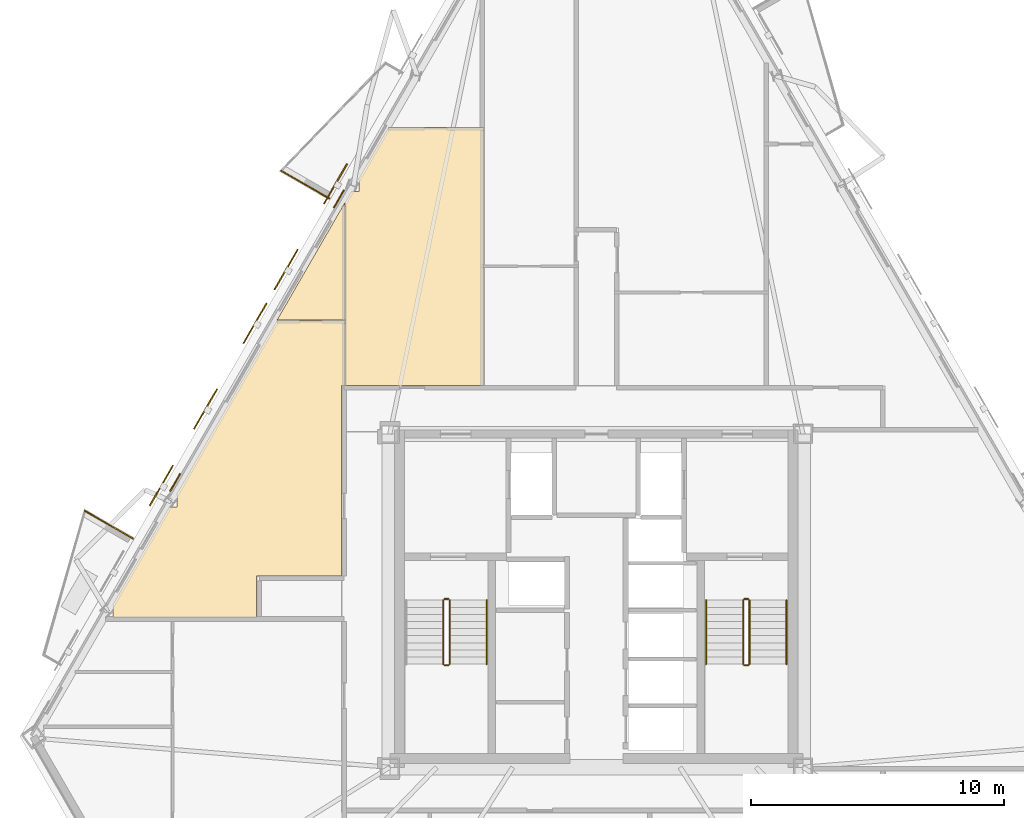
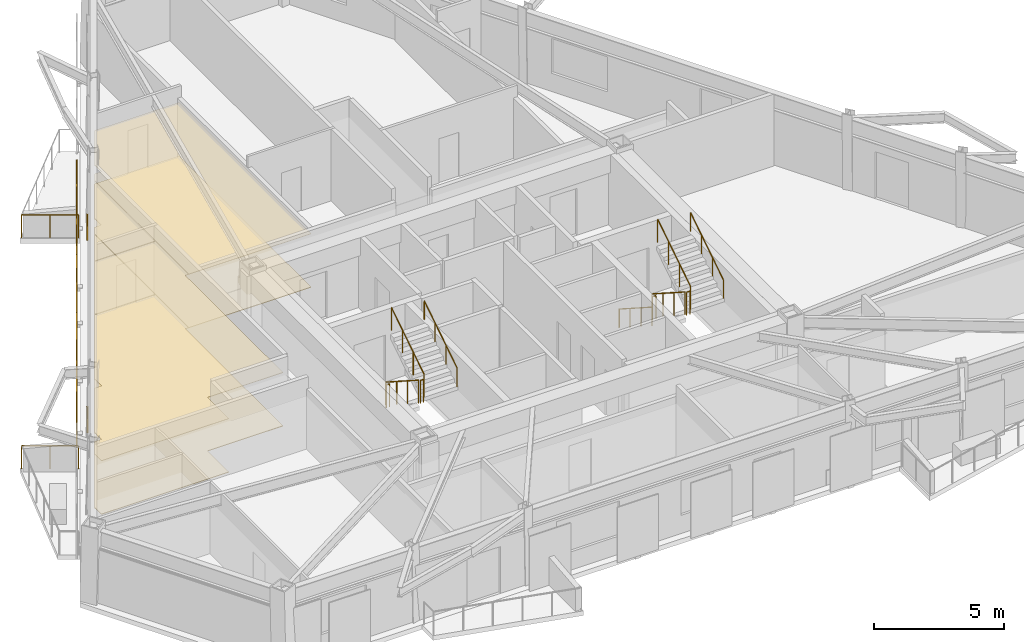
# One storey, part 7 of 8: 13 railings, 8 coverings, 5 shading devices.
"""IFC4 building model written with IfcOpenShell, lengths in metres."""

from ifc_helpers import new_model, si_unit, direction, frame, origin, origin_2d, place, context, subcontext, project, spatial, polyline, rectangle, circle, outline, extrude, material, layer, layer_set, type_object, element, save


model = new_model("IFC4")

# Units and contexts
model_context = context("Model", 3, precision=1e-05, world=origin(), true_north=direction((0.0, 1.0)))
body_context = subcontext(model_context, "Body", "Model", "MODEL_VIEW")
ifc_project = project(units=[si_unit("LENGTHUNIT", "METRE"), si_unit("AREAUNIT", "SQUARE_METRE"), si_unit("VOLUMEUNIT", "CUBIC_METRE"), si_unit("PLANEANGLEUNIT", "RADIAN"), si_unit("MASSUNIT", "GRAM", prefix="KILO")], contexts=[model_context])

# Site, building, storey
site_placement = place(None, origin())
site = spatial("IfcSite", under=ifc_project, at=site_placement, CompositionType="ELEMENT")
building_placement = place(site_placement, origin())
building = spatial("IfcBuilding", under=site, at=building_placement, Name="Oramaril Tower", CompositionType="ELEMENT")
storey_placement = place(building_placement, frame((0.0, 0.0, 171.0)))
storey = spatial("IfcBuildingStorey", under=building, at=storey_placement, Name="L45", CompositionType="ELEMENT", Elevation=171.0)

# Coverings
ifc_material_1 = material(Name="Mineral Fibre Acoustic Ceiling")
ifc_layer_1 = layer(ifc_material_1, 0.02001953125)
ifc_layer_set_1 = layer_set([ifc_layer_1], Name="CVT-CEIL")
covering_type_1 = type_object("IfcCoveringType", Name="CVT-CEIL", PredefinedType="CEILING", material=ifc_layer_set_1)
covering_1_placement = place(storey_placement, frame((0.0, 0.0, 2.511962890625)))
element("IfcCovering", 1, at=covering_1_placement, inside=storey, type_object=covering_type_1, Name="L45 Acoustic Suspended Ceiling 14", PredefinedType="CEILING", context=body_context, shape_type="SweptSolid", body=[
    extrude(outline(polyline([(18.43408203125, 17.4033203125), (18.4130859375, 17.4033203125), (20.642822265625, 21.265380859375), (20.94921875, 21.265380859375), (20.94921875, 21.751953125), (20.923828125, 21.751953125), (24.8916015625, 28.624267578125), (27.592041015625, 28.624267578125), (27.592041015625, 26.070068359375), (27.469970703125, 26.070068359375), (27.468017578125, 26.06982421875), (27.466064453125, 26.069580078125), (27.464111328125, 26.069091796875), (27.46240234375, 26.068603515625), (27.460693359375, 26.067626953125), (27.458984375, 26.066650390625), (27.457275390625, 26.0654296875), (27.455810546875, 26.064208984375), (27.45458984375, 26.062744140625), (27.453369140625, 26.06103515625), (27.452392578125, 26.059326171875), (27.451416015625, 26.0576171875), (27.450927734375, 26.055908203125), (27.450439453125, 26.053955078125), (27.4501953125, 26.052001953125), (27.449951171875, 26.050048828125), (27.449951171875, 24.239990234375), (27.4501953125, 24.238037109375), (27.450439453125, 24.236083984375), (27.450927734375, 24.234130859375), (27.451416015625, 24.232421875), (27.452392578125, 24.230712890625), (27.45263671875, 24.22998046875), (27.452392578125, 24.2294921875), (27.451416015625, 24.227783203125), (27.450927734375, 24.225830078125), (27.450439453125, 24.223876953125), (27.4501953125, 24.221923828125), (27.449951171875, 24.219970703125), (27.449951171875, 18.550048828125), (24.1201171875, 18.550048828125), (24.117919921875, 18.5498046875), (24.1162109375, 18.549560546875), (24.1142578125, 18.549072265625), (24.1123046875, 18.548583984375), (24.110595703125, 18.547607421875), (24.10888671875, 18.546630859375), (24.107421875, 18.54541015625), (24.10595703125, 18.544189453125), (24.1044921875, 18.542724609375), (24.103515625, 18.541015625), (24.102294921875, 18.539306640625), (24.1015625, 18.53759765625), (24.100830078125, 18.535888671875), (24.100341796875, 18.533935546875), (24.10009765625, 18.531982421875), (24.10009765625, 18.530029296875), (24.10009765625, 16.912109375), (20.74072265625, 16.912109375), (20.73876953125, 16.911865234375), (20.73681640625, 16.91162109375), (20.73486328125, 16.9111328125), (20.73291015625, 16.910400390625), (20.731201171875, 16.90966796875), (20.730712890625, 16.9091796875), (20.72998046875, 16.90966796875), (20.728515625, 16.910400390625), (20.7265625, 16.9111328125), (20.724609375, 16.91162109375), (20.72265625, 16.911865234375), (20.720703125, 16.912109375), (18.43408203125, 16.912109375), (18.43408203125, 17.4033203125)])), origin(), (0.0, 0.0, 1.0), 0.02001953125),
])
covering_2_placement = place(storey_placement, frame((0.0, 0.0, 2.511962890625)))
element("IfcCovering", 2, at=covering_2_placement, inside=storey, type_object=covering_type_1, Name="L45 Acoustic Suspended Ceiling 15", PredefinedType="CEILING", context=body_context, shape_type="SweptSolid", body=[
    extrude(outline(polyline([(27.592041015625, 33.3017578125), (27.592041015625, 28.644287109375), (24.903076171875, 28.644287109375), (27.592041015625, 33.3017578125)])), origin(), (0.0, 0.0, 1.0), 0.02001953125),
])
covering_3_placement = place(storey_placement, frame((0.0, 0.0, 2.511962890625)))
element("IfcCovering", 3, at=covering_3_placement, inside=storey, type_object=covering_type_1, Name="L45 Acoustic Suspended Ceiling 16", PredefinedType="CEILING", context=body_context, shape_type="SweptSolid", body=[
    extrude(outline(polyline([(28.135009765625, 33.711669921875), (28.135009765625, 34.176513671875), (28.09716796875, 34.176513671875), (29.284912109375, 36.23388671875), (33.0419921875, 36.23388671875), (33.0419921875, 26.070068359375), (27.612060546875, 26.070068359375), (27.612060546875, 28.624267578125), (27.61181640625, 28.626220703125), (27.611572265625, 28.628173828125), (27.611083984375, 28.630126953125), (27.610595703125, 28.632080078125), (27.609619140625, 28.6337890625), (27.609375, 28.63427734375), (27.609619140625, 28.635009765625), (27.610595703125, 28.63671875), (27.611083984375, 28.638427734375), (27.611572265625, 28.640380859375), (27.61181640625, 28.642333984375), (27.612060546875, 28.644287109375), (27.612060546875, 33.3017578125), (27.61181640625, 33.3037109375), (27.611572265625, 33.305419921875), (27.611083984375, 33.307373046875), (27.610595703125, 33.30908203125), (27.609619140625, 33.31103515625), (27.608642578125, 33.312744140625), (27.607666015625, 33.314208984375), (27.606201171875, 33.315673828125), (27.60498046875, 33.31689453125), (27.603271484375, 33.318115234375), (27.60205078125, 33.319091796875), (27.828857421875, 33.711669921875), (28.135009765625, 33.711669921875)])), origin(), (0.0, 0.0, 1.0), 0.02001953125),
])
ifc_material_2 = material(Name="Warm Cream Limestone", Category="masonry")
ifc_layer_2 = layer(ifc_material_2, 0.050048828125)
ifc_layer_set_2 = layer_set([ifc_layer_2], Name="CVT-CLD")
covering_type_2 = type_object("IfcCoveringType", Name="CVT-CLD", PredefinedType="CLADDING", material=ifc_layer_set_2)
for number, where, z_axis, x_axis, name in (
    (4, (27.341552734375, 33.419677734375, 0.0400390625), (0.0, 0.0, 1.0), (-0.5, -0.866025403784, 0.0), "L45 Warm Cream Limestone Spandrel Cladding"),
    (5, (20.885498046875, 22.23779296875, 0.0400390625), (0.0, 0.0, 1.0), (-0.5, -0.866025403784, 0.0), "L45 Warm Cream Limestone Spandrel Cladding"),
):
    element("IfcCovering", number, at=place(storey_placement, frame(where, z_axis=z_axis, x_axis=x_axis)), inside=storey, type_object=covering_type_2, Name=name, PredefinedType="CLADDING", context=body_context, shape_type="SweptSolid", body=[
        extrude(rectangle(XDim=0.800048828125, YDim=0.050048828125, at=origin_2d()), origin(), (0.0, 0.0, 1.0), 0.679931640625),
    ])
ifc_material_3 = material(Name="Honed Quartzite Stone Flooring", Category="masonry")
ifc_layer_3 = layer(ifc_material_3, 0.02490234375)
ifc_layer_set_3 = layer_set([ifc_layer_3], Name="CVT-FLR")
covering_type_3 = type_object("IfcCoveringType", Name="CVT-FLR", PredefinedType="FLOORING", material=ifc_layer_set_3)
covering_4_placement = place(storey_placement, origin())
element("IfcCovering", 6, at=covering_4_placement, inside=storey, type_object=covering_type_3, Name="L45 Honed Stone Floor Finish 14", PredefinedType="FLOORING", context=body_context, shape_type="SweptSolid", body=[
    extrude(outline(polyline([(18.43408203125, 17.4033203125), (18.4130859375, 17.4033203125), (20.642822265625, 21.265380859375), (20.94921875, 21.265380859375), (20.94921875, 21.751953125), (20.923828125, 21.751953125), (24.8916015625, 28.624267578125), (27.592041015625, 28.624267578125), (27.592041015625, 26.070068359375), (27.469970703125, 26.070068359375), (27.468017578125, 26.06982421875), (27.466064453125, 26.069580078125), (27.464111328125, 26.069091796875), (27.46240234375, 26.068603515625), (27.460693359375, 26.067626953125), (27.458984375, 26.066650390625), (27.457275390625, 26.0654296875), (27.455810546875, 26.064208984375), (27.45458984375, 26.062744140625), (27.453369140625, 26.06103515625), (27.452392578125, 26.059326171875), (27.451416015625, 26.0576171875), (27.450927734375, 26.055908203125), (27.450439453125, 26.053955078125), (27.4501953125, 26.052001953125), (27.449951171875, 26.050048828125), (27.449951171875, 24.239990234375), (27.4501953125, 24.238037109375), (27.450439453125, 24.236083984375), (27.450927734375, 24.234130859375), (27.451416015625, 24.232421875), (27.452392578125, 24.230712890625), (27.45263671875, 24.22998046875), (27.452392578125, 24.2294921875), (27.451416015625, 24.227783203125), (27.450927734375, 24.225830078125), (27.450439453125, 24.223876953125), (27.4501953125, 24.221923828125), (27.449951171875, 24.219970703125), (27.449951171875, 18.550048828125), (24.1201171875, 18.550048828125), (24.117919921875, 18.5498046875), (24.1162109375, 18.549560546875), (24.1142578125, 18.549072265625), (24.1123046875, 18.548583984375), (24.110595703125, 18.547607421875), (24.10888671875, 18.546630859375), (24.107421875, 18.54541015625), (24.10595703125, 18.544189453125), (24.1044921875, 18.542724609375), (24.103515625, 18.541015625), (24.102294921875, 18.539306640625), (24.1015625, 18.53759765625), (24.100830078125, 18.535888671875), (24.100341796875, 18.533935546875), (24.10009765625, 18.531982421875), (24.10009765625, 18.530029296875), (24.10009765625, 16.912109375), (20.74072265625, 16.912109375), (20.73876953125, 16.911865234375), (20.73681640625, 16.91162109375), (20.73486328125, 16.9111328125), (20.73291015625, 16.910400390625), (20.731201171875, 16.90966796875), (20.730712890625, 16.9091796875), (20.72998046875, 16.90966796875), (20.728515625, 16.910400390625), (20.7265625, 16.9111328125), (20.724609375, 16.91162109375), (20.72265625, 16.911865234375), (20.720703125, 16.912109375), (18.43408203125, 16.912109375), (18.43408203125, 17.4033203125)])), origin(), (0.0, 0.0, 1.0), 0.02490234375),
])
covering_5_placement = place(storey_placement, origin())
element("IfcCovering", 7, at=covering_5_placement, inside=storey, type_object=covering_type_3, Name="L45 Honed Stone Floor Finish 15", PredefinedType="FLOORING", context=body_context, shape_type="SweptSolid", body=[
    extrude(outline(polyline([(27.592041015625, 33.3017578125), (27.592041015625, 28.644287109375), (24.903076171875, 28.644287109375), (27.592041015625, 33.3017578125)])), origin(), (0.0, 0.0, 1.0), 0.02490234375),
])
covering_6_placement = place(storey_placement, origin())
element("IfcCovering", 8, at=covering_6_placement, inside=storey, type_object=covering_type_3, Name="L45 Honed Stone Floor Finish 16", PredefinedType="FLOORING", context=body_context, shape_type="SweptSolid", body=[
    extrude(outline(polyline([(28.135009765625, 33.711669921875), (28.135009765625, 34.176513671875), (28.09716796875, 34.176513671875), (29.284912109375, 36.23388671875), (33.0419921875, 36.23388671875), (33.0419921875, 26.070068359375), (27.612060546875, 26.070068359375), (27.612060546875, 28.624267578125), (27.61181640625, 28.626220703125), (27.611572265625, 28.628173828125), (27.611083984375, 28.630126953125), (27.610595703125, 28.632080078125), (27.609619140625, 28.6337890625), (27.609375, 28.63427734375), (27.609619140625, 28.635009765625), (27.610595703125, 28.63671875), (27.611083984375, 28.638427734375), (27.611572265625, 28.640380859375), (27.61181640625, 28.642333984375), (27.612060546875, 28.644287109375), (27.612060546875, 33.3017578125), (27.61181640625, 33.3037109375), (27.611572265625, 33.305419921875), (27.611083984375, 33.307373046875), (27.610595703125, 33.30908203125), (27.609619140625, 33.31103515625), (27.608642578125, 33.312744140625), (27.607666015625, 33.314208984375), (27.606201171875, 33.315673828125), (27.60498046875, 33.31689453125), (27.603271484375, 33.318115234375), (27.60205078125, 33.319091796875), (27.828857421875, 33.711669921875), (28.135009765625, 33.711669921875)])), origin(), (0.0, 0.0, 1.0), 0.02490234375),
])

# Railings
ifc_material_4 = material(Name="Stainless Steel 316L", Category="steel")
railing_type_1 = type_object("IfcRailingType", Name="RLT-GRD", PredefinedType="GUARDRAIL", material=ifc_material_4)
railing_1_placement = place(storey_placement, frame((26.9609375, 33.440673828125, 0.0)))
element("IfcRailing", 9, at=railing_1_placement, inside=storey, type_object=railing_type_1, Name="L45 Balcony Guardrail L45-BAL-NW1.1", PredefinedType="GUARDRAIL", context=body_context, shape_type="SweptSolid", body=[
    extrude(circle(Radius=0.02392578125, at=origin_2d()), frame((0.0, 0.0, 1.076171875), z_axis=(-0.866048343933, 0.499960264392, 0.0), x_axis=(-0.499960264392, -0.866048343933, 0.0)), (0.0, 0.0, 1.0), 2.192138671875),
    extrude(circle(Radius=0.02099609375, at=origin_2d()), origin(), (0.0, 0.0, 1.0), 1.052001953125),
    extrude(circle(Radius=0.02099609375, at=origin_2d()), frame((-0.94921875, 0.5478515625, 0.0)), (0.0, 0.0, 1.0), 1.052001953125),
    extrude(circle(Radius=0.02099609375, at=origin_2d()), frame((-1.8984375, 1.095947265625, 0.0)), (0.0, 0.0, 1.0), 1.052001953125),
])
railing_2_placement = place(storey_placement, frame((17.31640625, 21.11962890625, 0.0)))
element("IfcRailing", 10, at=railing_2_placement, inside=storey, type_object=railing_type_1, Name="L45 Balcony Guardrail L45-BAL-NW2.3", PredefinedType="GUARDRAIL", context=body_context, shape_type="SweptSolid", body=[
    extrude(circle(Radius=0.02392578125, at=origin_2d()), frame((0.0, 0.0, 1.076171875), z_axis=(0.866020500697, -0.5000084923, 0.0), x_axis=(0.5000084923, 0.866020500697, 0.0)), (0.0, 0.0, 1.0), 2.19189453125),
    extrude(circle(Radius=0.02099609375, at=origin_2d()), origin(), (0.0, 0.0, 1.0), 1.052001953125),
    extrude(circle(Radius=0.02099609375, at=origin_2d()), frame((0.94921875, -0.5478515625, 0.0)), (0.0, 0.0, 1.0), 1.052001953125),
    extrude(circle(Radius=0.02099609375, at=origin_2d()), frame((1.898193359375, -1.095947265625, 0.0)), (0.0, 0.0, 1.0), 1.052001953125),
])
railing_3_placement = place(storey_placement, frame((31.4599609375, 17.590087890625, 0.179931640625)))
element("IfcRailing", 11, at=railing_3_placement, inside=storey, type_object=railing_type_1, Name="L45 ST-1 stair guard 1", PredefinedType="GUARDRAIL", context=body_context, shape_type="SweptSolid", body=[
    extrude(circle(Radius=0.02392578125, at=origin_2d()), frame((0.0, 0.0, 1.076171875), z_axis=(0.0, -0.841162588446, 0.540782303519), x_axis=(1.0, 0.0, 0.0)), (0.0, 0.0, 1.0), 2.995849609375),
    extrude(circle(Radius=0.02099609375, at=origin_2d()), origin(), (0.0, 0.0, 1.0), 1.052001953125),
    extrude(circle(Radius=0.02099609375, at=origin_2d()), frame((0.0, -0.840087890625, 0.5400390625)), (0.0, 0.0, 1.0), 1.052001953125),
    extrude(circle(Radius=0.02099609375, at=origin_2d()), frame((0.0, -1.679931640625, 1.080078125)), (0.0, 0.0, 1.0), 1.052001953125),
    extrude(circle(Radius=0.02099609375, at=origin_2d()), frame((0.0, -2.52001953125, 1.6201171875)), (0.0, 0.0, 1.0), 1.052001953125),
])
railing_4_placement = place(storey_placement, frame((31.510009765625, 15.02001953125, 1.800048828125)))
element("IfcRailing", 12, at=railing_4_placement, inside=storey, type_object=railing_type_1, Name="L45 ST-1 stair guard 2", PredefinedType="GUARDRAIL", context=body_context, shape_type="SweptSolid", body=[
    extrude(circle(Radius=0.02392578125, at=origin_2d()), frame((0.0, 0.0, 1.076171875), z_axis=(1.0, 0.0, 0.0), x_axis=(0.0, 1.0, 0.0)), (0.0, 0.0, 1.0), 0.14990234375),
    extrude(circle(Radius=0.02099609375, at=origin_2d()), origin(), (0.0, 0.0, 1.0), 1.052001953125),
    extrude(circle(Radius=0.02099609375, at=origin_2d()), frame((0.14990234375, 0.0, 0.0)), (0.0, 0.0, 1.0), 1.052001953125),
])
railing_5_placement = place(storey_placement, frame((31.7099609375, 15.070068359375, 1.97998046875)))
element("IfcRailing", 13, at=railing_5_placement, inside=storey, type_object=railing_type_1, Name="L45 ST-1 stair guard 3", PredefinedType="GUARDRAIL", context=body_context, shape_type="SweptSolid", body=[
    extrude(circle(Radius=0.02392578125, at=origin_2d()), frame((0.0, 0.0, 1.076171875), z_axis=(0.0, 0.841162588446, 0.540782303519), x_axis=(-1.0, 0.0, 0.0)), (0.0, 0.0, 1.0), 2.995849609375),
    extrude(circle(Radius=0.02099609375, at=origin_2d()), origin(), (0.0, 0.0, 1.0), 1.052001953125),
    extrude(circle(Radius=0.02099609375, at=origin_2d()), frame((0.0, 0.840087890625, 0.5400390625)), (0.0, 0.0, 1.0), 1.052001953125),
    extrude(circle(Radius=0.02099609375, at=origin_2d()), frame((0.0, 1.679931640625, 1.080078125)), (0.0, 0.0, 1.0), 1.052001953125),
    extrude(circle(Radius=0.02099609375, at=origin_2d()), frame((0.0, 2.52001953125, 1.6201171875)), (0.0, 0.0, 1.0), 1.052001953125),
])
railing_6_placement = place(storey_placement, frame((31.510009765625, 17.639892578125, 0.0)))
element("IfcRailing", 14, at=railing_6_placement, inside=storey, type_object=railing_type_1, Name="L45 ST-1 stair guard 4", PredefinedType="GUARDRAIL", context=body_context, shape_type="SweptSolid", body=[
    extrude(circle(Radius=0.02392578125, at=origin_2d()), frame((0.0, 0.0, 1.076171875), z_axis=(1.0, 0.0, 0.0), x_axis=(0.0, 1.0, 0.0)), (0.0, 0.0, 1.0), 0.14990234375),
    extrude(circle(Radius=0.02099609375, at=origin_2d()), origin(), (0.0, 0.0, 1.0), 1.052001953125),
    extrude(circle(Radius=0.02099609375, at=origin_2d()), frame((0.14990234375, 0.0, 0.0)), (0.0, 0.0, 1.0), 1.052001953125),
])
railing_7_placement = place(storey_placement, frame((43.2900390625, 17.590087890625, 0.179931640625)))
element("IfcRailing", 15, at=railing_7_placement, inside=storey, type_object=railing_type_1, Name="L45 ST-2 stair guard 1", PredefinedType="GUARDRAIL", context=body_context, shape_type="SweptSolid", body=[
    extrude(circle(Radius=0.02392578125, at=origin_2d()), frame((0.0, 0.0, 1.076171875), z_axis=(0.0, -0.841162588446, 0.540782303519), x_axis=(1.0, 0.0, 0.0)), (0.0, 0.0, 1.0), 2.995849609375),
    extrude(circle(Radius=0.02099609375, at=origin_2d()), origin(), (0.0, 0.0, 1.0), 1.052001953125),
    extrude(circle(Radius=0.02099609375, at=origin_2d()), frame((0.0, -0.840087890625, 0.5400390625)), (0.0, 0.0, 1.0), 1.052001953125),
    extrude(circle(Radius=0.02099609375, at=origin_2d()), frame((0.0, -1.679931640625, 1.080078125)), (0.0, 0.0, 1.0), 1.052001953125),
    extrude(circle(Radius=0.02099609375, at=origin_2d()), frame((0.0, -2.52001953125, 1.6201171875)), (0.0, 0.0, 1.0), 1.052001953125),
])
railing_8_placement = place(storey_placement, frame((43.340087890625, 15.02001953125, 1.800048828125)))
element("IfcRailing", 16, at=railing_8_placement, inside=storey, type_object=railing_type_1, Name="L45 ST-2 stair guard 2", PredefinedType="GUARDRAIL", context=body_context, shape_type="SweptSolid", body=[
    extrude(circle(Radius=0.02392578125, at=origin_2d()), frame((0.0, 0.0, 1.076171875), z_axis=(1.0, 0.0, 0.0), x_axis=(0.0, 1.0, 0.0)), (0.0, 0.0, 1.0), 0.14990234375),
    extrude(circle(Radius=0.02099609375, at=origin_2d()), origin(), (0.0, 0.0, 1.0), 1.052001953125),
    extrude(circle(Radius=0.02099609375, at=origin_2d()), frame((0.14990234375, 0.0, 0.0)), (0.0, 0.0, 1.0), 1.052001953125),
])
railing_9_placement = place(storey_placement, frame((43.5400390625, 15.070068359375, 1.97998046875)))
element("IfcRailing", 17, at=railing_9_placement, inside=storey, type_object=railing_type_1, Name="L45 ST-2 stair guard 3", PredefinedType="GUARDRAIL", context=body_context, shape_type="SweptSolid", body=[
    extrude(circle(Radius=0.02392578125, at=origin_2d()), frame((0.0, 0.0, 1.076171875), z_axis=(0.0, 0.841162588446, 0.540782303519), x_axis=(-1.0, 0.0, 0.0)), (0.0, 0.0, 1.0), 2.995849609375),
    extrude(circle(Radius=0.02099609375, at=origin_2d()), origin(), (0.0, 0.0, 1.0), 1.052001953125),
    extrude(circle(Radius=0.02099609375, at=origin_2d()), frame((0.0, 0.840087890625, 0.5400390625)), (0.0, 0.0, 1.0), 1.052001953125),
    extrude(circle(Radius=0.02099609375, at=origin_2d()), frame((0.0, 1.679931640625, 1.080078125)), (0.0, 0.0, 1.0), 1.052001953125),
    extrude(circle(Radius=0.02099609375, at=origin_2d()), frame((0.0, 2.52001953125, 1.6201171875)), (0.0, 0.0, 1.0), 1.052001953125),
])
railing_10_placement = place(storey_placement, frame((43.340087890625, 17.639892578125, 0.0)))
element("IfcRailing", 18, at=railing_10_placement, inside=storey, type_object=railing_type_1, Name="L45 ST-2 stair guard 4", PredefinedType="GUARDRAIL", context=body_context, shape_type="SweptSolid", body=[
    extrude(circle(Radius=0.02392578125, at=origin_2d()), frame((0.0, 0.0, 1.076171875), z_axis=(1.0, 0.0, 0.0), x_axis=(0.0, 1.0, 0.0)), (0.0, 0.0, 1.0), 0.14990234375),
    extrude(circle(Radius=0.02099609375, at=origin_2d()), origin(), (0.0, 0.0, 1.0), 1.052001953125),
    extrude(circle(Radius=0.02099609375, at=origin_2d()), frame((0.14990234375, 0.0, 0.0)), (0.0, 0.0, 1.0), 1.052001953125),
])
ifc_material_5 = material(Name="Stainless Steel 316L", Category="steel")
railing_type_2 = type_object("IfcRailingType", Name="RLT-HND", PredefinedType="HANDRAIL", material=ifc_material_5)
railing_11_placement = place(storey_placement, frame((33.169921875, 15.070068359375, 1.97998046875)))
element("IfcRailing", 19, at=railing_11_placement, inside=storey, type_object=railing_type_2, Name="L45 ST-1 stair handrail 2", PredefinedType="HANDRAIL", context=body_context, shape_type="SweptSolid", body=[
    extrude(circle(Radius=0.02392578125, at=origin_2d()), frame((0.0, 0.0, 0.8759765625), z_axis=(0.0, 0.841162588446, 0.540782303519), x_axis=(-1.0, 0.0, 0.0)), (0.0, 0.0, 1.0), 2.995849609375),
    extrude(circle(Radius=0.02099609375, at=origin_2d()), origin(), (0.0, 0.0, 1.0), 0.851806640625),
    extrude(circle(Radius=0.02099609375, at=origin_2d()), frame((0.0, 0.840087890625, 0.5400390625)), (0.0, 0.0, 1.0), 0.851806640625),
    extrude(circle(Radius=0.02099609375, at=origin_2d()), frame((0.0, 1.679931640625, 1.080078125)), (0.0, 0.0, 1.0), 0.851806640625),
    extrude(circle(Radius=0.02099609375, at=origin_2d()), frame((0.0, 2.52001953125, 1.6201171875)), (0.0, 0.0, 1.0), 0.851806640625),
])
railing_12_placement = place(storey_placement, frame((41.830078125, 17.590087890625, 0.179931640625)))
element("IfcRailing", 20, at=railing_12_placement, inside=storey, type_object=railing_type_2, Name="L45 ST-2 stair handrail 1", PredefinedType="HANDRAIL", context=body_context, shape_type="SweptSolid", body=[
    extrude(circle(Radius=0.02392578125, at=origin_2d()), frame((0.0, 0.0, 0.8759765625), z_axis=(0.0, -0.841162588446, 0.540782303519), x_axis=(1.0, 0.0, 0.0)), (0.0, 0.0, 1.0), 2.995849609375),
    extrude(circle(Radius=0.02099609375, at=origin_2d()), origin(), (0.0, 0.0, 1.0), 0.851806640625),
    extrude(circle(Radius=0.02099609375, at=origin_2d()), frame((0.0, -0.840087890625, 0.5400390625)), (0.0, 0.0, 1.0), 0.851806640625),
    extrude(circle(Radius=0.02099609375, at=origin_2d()), frame((0.0, -1.679931640625, 1.080078125)), (0.0, 0.0, 1.0), 0.851806640625),
    extrude(circle(Radius=0.02099609375, at=origin_2d()), frame((0.0, -2.52001953125, 1.6201171875)), (0.0, 0.0, 1.0), 0.851806640625),
])
railing_13_placement = place(storey_placement, frame((45.0, 15.070068359375, 1.97998046875)))
element("IfcRailing", 21, at=railing_13_placement, inside=storey, type_object=railing_type_2, Name="L45 ST-2 stair handrail 2", PredefinedType="HANDRAIL", context=body_context, shape_type="SweptSolid", body=[
    extrude(circle(Radius=0.02392578125, at=origin_2d()), frame((0.0, 0.0, 0.8759765625), z_axis=(0.0, 0.841162588446, 0.540782303519), x_axis=(-1.0, 0.0, 0.0)), (0.0, 0.0, 1.0), 2.995849609375),
    extrude(circle(Radius=0.02099609375, at=origin_2d()), origin(), (0.0, 0.0, 1.0), 0.851806640625),
    extrude(circle(Radius=0.02099609375, at=origin_2d()), frame((0.0, 0.840087890625, 0.5400390625)), (0.0, 0.0, 1.0), 0.851806640625),
    extrude(circle(Radius=0.02099609375, at=origin_2d()), frame((0.0, 1.679931640625, 1.080078125)), (0.0, 0.0, 1.0), 0.851806640625),
    extrude(circle(Radius=0.02099609375, at=origin_2d()), frame((0.0, 2.52001953125, 1.6201171875)), (0.0, 0.0, 1.0), 0.851806640625),
])

# Shading devices
for number, where, z_axis, x_axis, name in (
    (22, (24.033203125, 28.513671875, -0.02001953125), (0.0, 0.0, 1.0), (-0.5, -0.866025403784, 0.0), "L45 Perforated Ceramic Solar Screen"),
    (23, (22.083251953125, 25.13623046875, -0.02001953125), (0.0, 0.0, 1.0), (-0.5, -0.866025403784, 0.0), "L45 Perforated Ceramic Solar Screen"),
    (24, (20.337890625, 22.11279296875, -0.02001953125), (0.0, 0.0, 1.0), (-0.5, -0.866025403784, 0.0), "L45 Perforated Ceramic Solar Screen"),
    (25, (27.208740234375, 34.013916015625, -0.02001953125), (0.0, 0.0, 1.0), (-0.5, -0.866025403784, 0.0), "L45 Perforated Ceramic Solar Screen"),
    (26, (25.2587890625, 30.636474609375, -0.02001953125), (0.0, 0.0, 1.0), (-0.5, -0.866025403784, 0.0), "L45 Perforated Ceramic Solar Screen"),
):
    element("IfcShadingDevice", number, at=place(storey_placement, frame(where, z_axis=z_axis, x_axis=x_axis)), inside=storey, Name=name, ObjectType="SCREEN", PredefinedType="USERDEFINED", context=body_context, shape_type="SweptSolid", body=[
        extrude(rectangle(XDim=1.8330078125, YDim=0.050048828125, at=origin_2d()), origin(), (0.0, 0.0, 1.0), 2.60009765625),
    ])

save(model, "model.ifc")
